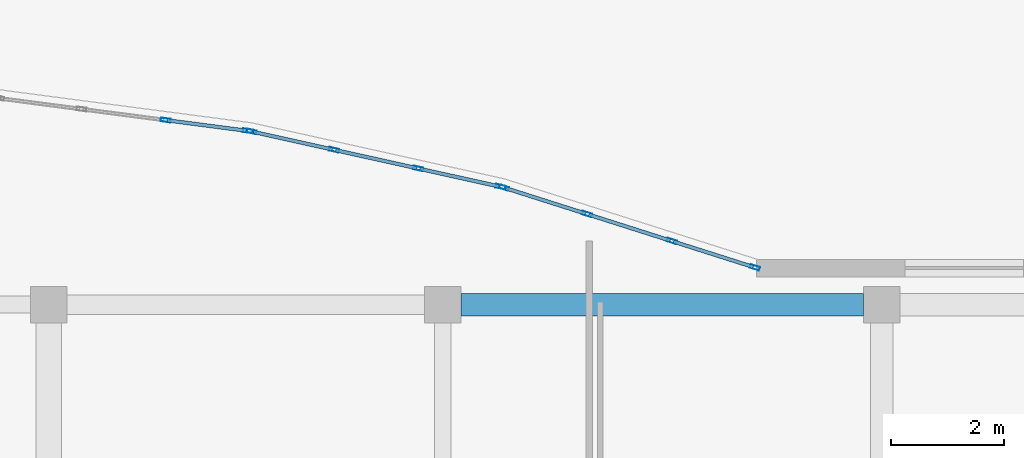
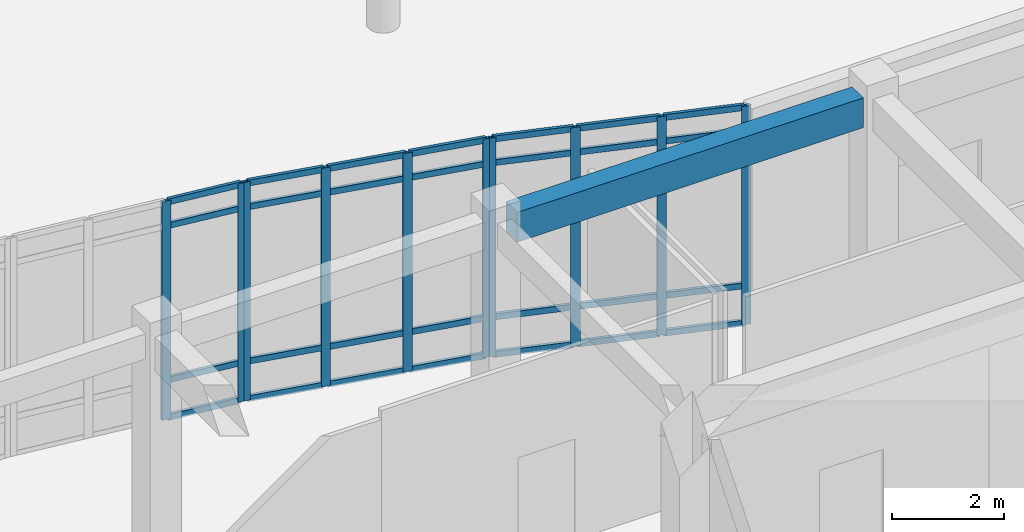
# One storey, part 35 of 121: 38 members, 1 beam, 3 elements without a shape of their own.
"""IFC4 building model written with IfcOpenShell, lengths in metres."""

from ifc_helpers import new_model, si_unit, direction, frame, origin, origin_2d, place, context, subcontext, project, spatial, rectangle, hollow_rectangle, extrude, material, layer, layer_set, material_profile, profile_set, type_object, element, aggregate, save


model = new_model("IFC4")

# Units and contexts
model_context = context("Model", 3, precision=1e-05, world=origin(), true_north=direction((0.0, 1.0)))
body_context = subcontext(model_context, "Body", "Model", "MODEL_VIEW")
ifc_project = project(units=[si_unit("LENGTHUNIT", "METRE"), si_unit("AREAUNIT", "SQUARE_METRE"), si_unit("VOLUMEUNIT", "CUBIC_METRE"), si_unit("PLANEANGLEUNIT", "RADIAN"), si_unit("MASSUNIT", "GRAM", prefix="KILO")], contexts=[model_context])

# Site, building, storey
site_placement = place(None, origin())
site = spatial("IfcSite", under=ifc_project, at=site_placement, CompositionType="ELEMENT")
building_placement = place(site_placement, origin())
building = spatial("IfcBuilding", under=site, at=building_placement, Name="Valcora Specialist Clinic", CompositionType="ELEMENT")
storey_placement = place(building_placement, origin())
storey = spatial("IfcBuildingStorey", under=building, at=storey_placement, Name="L00", CompositionType="ELEMENT", Elevation=0.0)

# Beam
ifc_material_1 = material(Name="Concrete C40/50", Category="concrete")
ifc_material_profile_1 = material_profile(ifc_material_1, rectangle(XDim=0.39990234375, YDim=0.64990234375, at=origin_2d()), Name="RC-BM-400X650")
ifc_profile_set_1 = profile_set([ifc_material_profile_1], Name="Concrete C40/50")
beam_type = type_object("IfcBeamType", Name="TY-BM-RC400X650", PredefinedType="BEAM", material=ifc_profile_set_1)
beam_placement = place(storey_placement, frame((99.72509765625, 22.0, 4.445068359375), z_axis=(1.0, 0.0, 0.0), x_axis=(0.0, 1.0, 0.0)))
element("IfcBeam", 1, at=beam_placement, inside=storey, type_object=beam_type, Name="Beam BM-L00-1257", PredefinedType="BEAM", context=body_context, shape_type="SweptSolid", body=[
    extrude(rectangle(XDim=0.39990234375, YDim=0.64990234375, at=origin_2d()), origin(), (0.0, 0.0, 1.0), 7.14990234375),
])

# Curtain wall, members
ifc_material_2 = material(Name="Anodized Bronze Aluminium 6063-T6", Category="aluminium")
ifc_layer = layer(ifc_material_2, 0.175048828125)
ifc_layer_set = layer_set([ifc_layer], Name="Anodized Bronze Aluminium 6063-T6")
curtain_wall_type = type_object("IfcCurtainWallType", Name="TY-CW-ARC51", PredefinedType="NOTDEFINED", material=ifc_layer_set)
curtain_wall_1_placement = place(storey_placement, origin())
curtain_wall_1 = element("IfcCurtainWall", 2, at=curtain_wall_1_placement, inside=storey, type_object=curtain_wall_type, Name="Curtain wall CW-L00-191", PredefinedType="NOTDEFINED")
ifc_material_profile_2 = material_profile(ifc_material_2, hollow_rectangle(XDim=0.06494140625, YDim=0.175048828125, WallThickness=0.00390625, at=origin_2d()), Name="AL-MUL-65X175")
ifc_profile_set_2 = profile_set([ifc_material_profile_2], Name="Anodized Bronze Aluminium 6063-T6")
member_type_1 = type_object("IfcMemberType", Name="TY-CWM-65X175", PredefinedType="MULLION", material=ifc_profile_set_2)
member_1_placement = place(storey_placement, frame((94.478271484375, 25.2783203125, 0.0), z_axis=(0.0, 0.0, 1.0), x_axis=(0.129999492259, 0.991514060421, 0.0)))
member_1 = element("IfcMember", 3, at=member_1_placement, type_object=member_type_1, Name="CW-ARC-51 mullion 3", PredefinedType="MULLION", context=body_context, shape_type="SweptSolid", body=[
    extrude(hollow_rectangle(XDim=0.06494140625, YDim=0.175048828125, WallThickness=0.00390625, at=origin_2d()), origin(), (0.0, 0.0, 1.0), 4.77001953125),
])
member_2_placement = place(storey_placement, frame((95.94189453125, 25.08642578125, 0.0), z_axis=(0.0, 0.0, 1.0), x_axis=(0.129999492259, 0.991514060421, 0.0)))
member_2 = element("IfcMember", 4, at=member_2_placement, type_object=member_type_1, Name="CW-ARC-51 mullion 4", PredefinedType="MULLION", context=body_context, shape_type="SweptSolid", body=[
    extrude(hollow_rectangle(XDim=0.06494140625, YDim=0.175048828125, WallThickness=0.00390625, at=origin_2d()), origin(), (0.0, 0.0, 1.0), 4.77001953125),
])

curtain_wall_2_placement = place(storey_placement, origin())
curtain_wall_2 = element("IfcCurtainWall", 5, at=curtain_wall_2_placement, inside=storey, type_object=curtain_wall_type, Name="Curtain wall CW-L00-192", PredefinedType="NOTDEFINED")
member_3_placement = place(storey_placement, frame((96.005615234375, 25.074951171875, 0.0), z_axis=(0.0, 0.0, 1.0), x_axis=(0.216518052372, 0.976278614432, 0.0)))
member_3 = element("IfcMember", 6, at=member_3_placement, type_object=member_type_1, Name="CW-ARC-51 mullion 1", PredefinedType="MULLION", context=body_context, shape_type="SweptSolid", body=[
    extrude(hollow_rectangle(XDim=0.06494140625, YDim=0.175048828125, WallThickness=0.00390625, at=origin_2d()), origin(), (0.0, 0.0, 1.0), 4.77001953125),
])
member_4_placement = place(storey_placement, frame((97.4697265625, 24.75048828125, 0.0), z_axis=(0.0, 0.0, 1.0), x_axis=(0.216518052372, 0.976278614432, 0.0)))
member_4 = element("IfcMember", 7, at=member_4_placement, type_object=member_type_1, Name="CW-ARC-51 mullion 2", PredefinedType="MULLION", context=body_context, shape_type="SweptSolid", body=[
    extrude(hollow_rectangle(XDim=0.06494140625, YDim=0.175048828125, WallThickness=0.00390625, at=origin_2d()), origin(), (0.0, 0.0, 1.0), 4.77001953125),
])
member_5_placement = place(storey_placement, frame((98.96533203125, 24.418701171875, 0.0), z_axis=(0.0, 0.0, 1.0), x_axis=(0.216518052372, 0.976278614432, 0.0)))
member_5 = element("IfcMember", 8, at=member_5_placement, type_object=member_type_1, Name="CW-ARC-51 mullion 3", PredefinedType="MULLION", context=body_context, shape_type="SweptSolid", body=[
    extrude(hollow_rectangle(XDim=0.06494140625, YDim=0.175048828125, WallThickness=0.00390625, at=origin_2d()), origin(), (0.0, 0.0, 1.0), 4.77001953125),
])
member_6_placement = place(storey_placement, frame((100.42919921875, 24.093994140625, 0.0), z_axis=(0.0, 0.0, 1.0), x_axis=(0.216518052372, 0.976278614432, 0.0)))
member_6 = element("IfcMember", 9, at=member_6_placement, type_object=member_type_1, Name="CW-ARC-51 mullion 4", PredefinedType="MULLION", context=body_context, shape_type="SweptSolid", body=[
    extrude(hollow_rectangle(XDim=0.06494140625, YDim=0.175048828125, WallThickness=0.00390625, at=origin_2d()), origin(), (0.0, 0.0, 1.0), 4.77001953125),
])

curtain_wall_3_placement = place(storey_placement, origin())
curtain_wall_3 = element("IfcCurtainWall", 10, at=curtain_wall_3_placement, inside=storey, type_object=curtain_wall_type, Name="Curtain wall CW-L00-193", PredefinedType="NOTDEFINED")
member_7_placement = place(storey_placement, frame((100.491943359375, 24.0771484375, 0.0), z_axis=(0.0, 0.0, 1.0), x_axis=(0.303233270958, 0.952916356972, 0.0)))
member_7 = element("IfcMember", 11, at=member_7_placement, type_object=member_type_1, Name="CW-ARC-51 mullion 1", PredefinedType="MULLION", context=body_context, shape_type="SweptSolid", body=[
    extrude(hollow_rectangle(XDim=0.06494140625, YDim=0.175048828125, WallThickness=0.00390625, at=origin_2d()), origin(), (0.0, 0.0, 1.0), 4.77001953125),
])
member_8_placement = place(storey_placement, frame((101.966064453125, 23.60791015625, 0.0), z_axis=(0.0, 0.0, 1.0), x_axis=(0.303233270958, 0.952916356972, 0.0)))
member_8 = element("IfcMember", 12, at=member_8_placement, type_object=member_type_1, Name="CW-ARC-51 mullion 2", PredefinedType="MULLION", context=body_context, shape_type="SweptSolid", body=[
    extrude(hollow_rectangle(XDim=0.06494140625, YDim=0.175048828125, WallThickness=0.00390625, at=origin_2d()), origin(), (0.0, 0.0, 1.0), 4.77001953125),
])
member_9_placement = place(storey_placement, frame((103.471435546875, 23.12890625, 0.0), z_axis=(0.0, 0.0, 1.0), x_axis=(0.303233270958, 0.952916356972, 0.0)))
member_9 = element("IfcMember", 13, at=member_9_placement, type_object=member_type_1, Name="CW-ARC-51 mullion 3", PredefinedType="MULLION", context=body_context, shape_type="SweptSolid", body=[
    extrude(hollow_rectangle(XDim=0.06494140625, YDim=0.175048828125, WallThickness=0.00390625, at=origin_2d()), origin(), (0.0, 0.0, 1.0), 4.77001953125),
])
member_10_placement = place(storey_placement, frame((104.94580078125, 22.659912109375, 0.0), z_axis=(0.0, 0.0, 1.0), x_axis=(0.303233270958, 0.952916356972, 0.0)))
member_10 = element("IfcMember", 14, at=member_10_placement, type_object=member_type_1, Name="CW-ARC-51 mullion 4", PredefinedType="MULLION", context=body_context, shape_type="SweptSolid", body=[
    extrude(hollow_rectangle(XDim=0.06494140625, YDim=0.175048828125, WallThickness=0.00390625, at=origin_2d()), origin(), (0.0, 0.0, 1.0), 4.77001953125),
])

# Member
ifc_material_profile_3 = material_profile(ifc_material_2, hollow_rectangle(XDim=0.06494140625, YDim=0.1298828125, WallThickness=0.00390625, at=origin_2d()), Name="AL-TRN-65X130")
ifc_profile_set_3 = profile_set([ifc_material_profile_3], Name="Anodized Bronze Aluminium 6063-T6")
member_type_2 = type_object("IfcMemberType", Name="TY-CWT-65X130", PredefinedType="USERDEFINED", material=ifc_profile_set_3)
member_11_placement = place(storey_placement, frame((94.510498046875, 25.27392578125, 0.032470703125), z_axis=(0.991523055248, -0.129930869742, 0.0), x_axis=(0.129930869742, 0.991523055248, 0.0)))
member_11 = element("IfcMember", 15, at=member_11_placement, type_object=member_type_2, Name="CW-ARC-51 transom 3.1", ObjectType="TRANSOM", PredefinedType="USERDEFINED", context=body_context, shape_type="SweptSolid", body=[
    extrude(hollow_rectangle(XDim=0.06494140625, YDim=0.1298828125, WallThickness=0.00390625, at=origin_2d()), origin(), (0.0, 0.0, 1.0), 1.4111328125),
])

member_12_placement = place(storey_placement, frame((94.510498046875, 25.27392578125, 0.85009765625), z_axis=(0.991523055248, -0.129930869742, 0.0), x_axis=(0.129930869742, 0.991523055248, 0.0)))
member_12 = element("IfcMember", 16, at=member_12_placement, type_object=member_type_2, Name="CW-ARC-51 transom 3.2", ObjectType="TRANSOM", PredefinedType="USERDEFINED", context=body_context, shape_type="SweptSolid", body=[
    extrude(hollow_rectangle(XDim=0.06494140625, YDim=0.1298828125, WallThickness=0.00390625, at=origin_2d()), origin(), (0.0, 0.0, 1.0), 1.4111328125),
])

member_13_placement = place(storey_placement, frame((94.510498046875, 25.27392578125, 4.219970703125), z_axis=(0.991523055248, -0.129930869742, 0.0), x_axis=(0.129930869742, 0.991523055248, 0.0)))
member_13 = element("IfcMember", 17, at=member_13_placement, type_object=member_type_2, Name="CW-ARC-51 transom 3.3", ObjectType="TRANSOM", PredefinedType="USERDEFINED", context=body_context, shape_type="SweptSolid", body=[
    extrude(hollow_rectangle(XDim=0.06494140625, YDim=0.1298828125, WallThickness=0.00390625, at=origin_2d()), origin(), (0.0, 0.0, 1.0), 1.4111328125),
])

member_14_placement = place(storey_placement, frame((94.510498046875, 25.27392578125, 4.737548828125), z_axis=(0.991523055248, -0.129930869742, 0.0), x_axis=(0.129930869742, 0.991523055248, 0.0)))
member_14 = element("IfcMember", 18, at=member_14_placement, type_object=member_type_2, Name="CW-ARC-51 transom 3.4", ObjectType="TRANSOM", PredefinedType="USERDEFINED", context=body_context, shape_type="SweptSolid", body=[
    extrude(hollow_rectangle(XDim=0.06494140625, YDim=0.1298828125, WallThickness=0.00390625, at=origin_2d()), origin(), (0.0, 0.0, 1.0), 1.4111328125),
])

aggregate(curtain_wall_1, [member_1, member_2, member_11, member_12, member_13, member_14])

member_15_placement = place(storey_placement, frame((96.037353515625, 25.068115234375, 0.032470703125), z_axis=(0.976255079417, -0.216624144343, 0.0), x_axis=(0.216624144343, 0.976255079417, 0.0)))
member_15 = element("IfcMember", 19, at=member_15_placement, type_object=member_type_2, Name="CW-ARC-51 transom 1.1", ObjectType="TRANSOM", PredefinedType="USERDEFINED", context=body_context, shape_type="SweptSolid", body=[
    extrude(hollow_rectangle(XDim=0.06494140625, YDim=0.1298828125, WallThickness=0.00390625, at=origin_2d()), origin(), (0.0, 0.0, 1.0), 1.434814453125),
])

member_16_placement = place(storey_placement, frame((96.037353515625, 25.068115234375, 0.85009765625), z_axis=(0.976255079417, -0.216624144343, 0.0), x_axis=(0.216624144343, 0.976255079417, 0.0)))
member_16 = element("IfcMember", 20, at=member_16_placement, type_object=member_type_2, Name="CW-ARC-51 transom 1.2", ObjectType="TRANSOM", PredefinedType="USERDEFINED", context=body_context, shape_type="SweptSolid", body=[
    extrude(hollow_rectangle(XDim=0.06494140625, YDim=0.1298828125, WallThickness=0.00390625, at=origin_2d()), origin(), (0.0, 0.0, 1.0), 1.434814453125),
])

member_17_placement = place(storey_placement, frame((96.037353515625, 25.068115234375, 4.219970703125), z_axis=(0.976255079417, -0.216624144343, 0.0), x_axis=(0.216624144343, 0.976255079417, 0.0)))
member_17 = element("IfcMember", 21, at=member_17_placement, type_object=member_type_2, Name="CW-ARC-51 transom 1.3", ObjectType="TRANSOM", PredefinedType="USERDEFINED", context=body_context, shape_type="SweptSolid", body=[
    extrude(hollow_rectangle(XDim=0.06494140625, YDim=0.1298828125, WallThickness=0.00390625, at=origin_2d()), origin(), (0.0, 0.0, 1.0), 1.434814453125),
])

member_18_placement = place(storey_placement, frame((96.037353515625, 25.068115234375, 4.737548828125), z_axis=(0.976255079417, -0.216624144343, 0.0), x_axis=(0.216624144343, 0.976255079417, 0.0)))
member_18 = element("IfcMember", 22, at=member_18_placement, type_object=member_type_2, Name="CW-ARC-51 transom 1.4", ObjectType="TRANSOM", PredefinedType="USERDEFINED", context=body_context, shape_type="SweptSolid", body=[
    extrude(hollow_rectangle(XDim=0.06494140625, YDim=0.1298828125, WallThickness=0.00390625, at=origin_2d()), origin(), (0.0, 0.0, 1.0), 1.434814453125),
])

member_19_placement = place(storey_placement, frame((97.50146484375, 24.743408203125, 0.032470703125), z_axis=(0.976277043921, -0.216525133676, 0.0), x_axis=(0.216525133676, 0.976277043921, 0.0)))
member_19 = element("IfcMember", 23, at=member_19_placement, type_object=member_type_2, Name="CW-ARC-51 transom 2.1", ObjectType="TRANSOM", PredefinedType="USERDEFINED", context=body_context, shape_type="SweptSolid", body=[
    extrude(hollow_rectangle(XDim=0.06494140625, YDim=0.1298828125, WallThickness=0.00390625, at=origin_2d()), origin(), (0.0, 0.0, 1.0), 1.467041015625),
])

member_20_placement = place(storey_placement, frame((97.50146484375, 24.743408203125, 0.85009765625), z_axis=(0.976277043921, -0.216525133676, 0.0), x_axis=(0.216525133676, 0.976277043921, 0.0)))
member_20 = element("IfcMember", 24, at=member_20_placement, type_object=member_type_2, Name="CW-ARC-51 transom 2.2", ObjectType="TRANSOM", PredefinedType="USERDEFINED", context=body_context, shape_type="SweptSolid", body=[
    extrude(hollow_rectangle(XDim=0.06494140625, YDim=0.1298828125, WallThickness=0.00390625, at=origin_2d()), origin(), (0.0, 0.0, 1.0), 1.467041015625),
])

member_21_placement = place(storey_placement, frame((97.50146484375, 24.743408203125, 4.219970703125), z_axis=(0.976277043921, -0.216525133676, 0.0), x_axis=(0.216525133676, 0.976277043921, 0.0)))
member_21 = element("IfcMember", 25, at=member_21_placement, type_object=member_type_2, Name="CW-ARC-51 transom 2.3", ObjectType="TRANSOM", PredefinedType="USERDEFINED", context=body_context, shape_type="SweptSolid", body=[
    extrude(hollow_rectangle(XDim=0.06494140625, YDim=0.1298828125, WallThickness=0.00390625, at=origin_2d()), origin(), (0.0, 0.0, 1.0), 1.467041015625),
])

member_22_placement = place(storey_placement, frame((97.50146484375, 24.743408203125, 4.737548828125), z_axis=(0.976277043921, -0.216525133676, 0.0), x_axis=(0.216525133676, 0.976277043921, 0.0)))
member_22 = element("IfcMember", 26, at=member_22_placement, type_object=member_type_2, Name="CW-ARC-51 transom 2.4", ObjectType="TRANSOM", PredefinedType="USERDEFINED", context=body_context, shape_type="SweptSolid", body=[
    extrude(hollow_rectangle(XDim=0.06494140625, YDim=0.1298828125, WallThickness=0.00390625, at=origin_2d()), origin(), (0.0, 0.0, 1.0), 1.467041015625),
])

member_23_placement = place(storey_placement, frame((98.9970703125, 24.41162109375, 0.032470703125), z_axis=(0.976283078872, -0.216497921256, 0.0), x_axis=(0.216497921256, 0.976283078872, 0.0)))
member_23 = element("IfcMember", 27, at=member_23_placement, type_object=member_type_2, Name="CW-ARC-51 transom 3.1", ObjectType="TRANSOM", PredefinedType="USERDEFINED", context=body_context, shape_type="SweptSolid", body=[
    extrude(hollow_rectangle(XDim=0.06494140625, YDim=0.1298828125, WallThickness=0.00390625, at=origin_2d()), origin(), (0.0, 0.0, 1.0), 1.434326171875),
])

member_24_placement = place(storey_placement, frame((98.9970703125, 24.41162109375, 0.85009765625), z_axis=(0.976283078872, -0.216497921256, 0.0), x_axis=(0.216497921256, 0.976283078872, 0.0)))
member_24 = element("IfcMember", 28, at=member_24_placement, type_object=member_type_2, Name="CW-ARC-51 transom 3.2", ObjectType="TRANSOM", PredefinedType="USERDEFINED", context=body_context, shape_type="SweptSolid", body=[
    extrude(hollow_rectangle(XDim=0.06494140625, YDim=0.1298828125, WallThickness=0.00390625, at=origin_2d()), origin(), (0.0, 0.0, 1.0), 1.434326171875),
])

member_25_placement = place(storey_placement, frame((98.9970703125, 24.41162109375, 4.219970703125), z_axis=(0.976283078872, -0.216497921256, 0.0), x_axis=(0.216497921256, 0.976283078872, 0.0)))
member_25 = element("IfcMember", 29, at=member_25_placement, type_object=member_type_2, Name="CW-ARC-51 transom 3.3", ObjectType="TRANSOM", PredefinedType="USERDEFINED", context=body_context, shape_type="SweptSolid", body=[
    extrude(hollow_rectangle(XDim=0.06494140625, YDim=0.1298828125, WallThickness=0.00390625, at=origin_2d()), origin(), (0.0, 0.0, 1.0), 1.434326171875),
])

member_26_placement = place(storey_placement, frame((98.9970703125, 24.41162109375, 4.737548828125), z_axis=(0.976283078872, -0.216497921256, 0.0), x_axis=(0.216497921256, 0.976283078872, 0.0)))
member_26 = element("IfcMember", 30, at=member_26_placement, type_object=member_type_2, Name="CW-ARC-51 transom 3.4", ObjectType="TRANSOM", PredefinedType="USERDEFINED", context=body_context, shape_type="SweptSolid", body=[
    extrude(hollow_rectangle(XDim=0.06494140625, YDim=0.1298828125, WallThickness=0.00390625, at=origin_2d()), origin(), (0.0, 0.0, 1.0), 1.434326171875),
])

aggregate(curtain_wall_2, [member_3, member_4, member_5, member_6, member_15, member_16, member_17, member_18, member_19, member_20, member_21, member_22, member_23, member_24, member_25, member_26])

member_27_placement = place(storey_placement, frame((100.52294921875, 24.0673828125, 0.032470703125), z_axis=(0.952910635624, -0.303251249816, 0.0), x_axis=(0.303251249816, 0.952910635624, 0.0)))
member_27 = element("IfcMember", 31, at=member_27_placement, type_object=member_type_2, Name="CW-ARC-51 transom 1.1", ObjectType="TRANSOM", PredefinedType="USERDEFINED", context=body_context, shape_type="SweptSolid", body=[
    extrude(hollow_rectangle(XDim=0.06494140625, YDim=0.1298828125, WallThickness=0.00390625, at=origin_2d()), origin(), (0.0, 0.0, 1.0), 1.482177734375),
])

member_28_placement = place(storey_placement, frame((100.52294921875, 24.0673828125, 0.85009765625), z_axis=(0.952910635624, -0.303251249816, 0.0), x_axis=(0.303251249816, 0.952910635624, 0.0)))
member_28 = element("IfcMember", 32, at=member_28_placement, type_object=member_type_2, Name="CW-ARC-51 transom 1.2", ObjectType="TRANSOM", PredefinedType="USERDEFINED", context=body_context, shape_type="SweptSolid", body=[
    extrude(hollow_rectangle(XDim=0.06494140625, YDim=0.1298828125, WallThickness=0.00390625, at=origin_2d()), origin(), (0.0, 0.0, 1.0), 1.482177734375),
])

member_29_placement = place(storey_placement, frame((100.52294921875, 24.0673828125, 4.219970703125), z_axis=(0.952910635624, -0.303251249816, 0.0), x_axis=(0.303251249816, 0.952910635624, 0.0)))
member_29 = element("IfcMember", 33, at=member_29_placement, type_object=member_type_2, Name="CW-ARC-51 transom 1.3", ObjectType="TRANSOM", PredefinedType="USERDEFINED", context=body_context, shape_type="SweptSolid", body=[
    extrude(hollow_rectangle(XDim=0.06494140625, YDim=0.1298828125, WallThickness=0.00390625, at=origin_2d()), origin(), (0.0, 0.0, 1.0), 1.482177734375),
])

member_30_placement = place(storey_placement, frame((100.52294921875, 24.0673828125, 4.737548828125), z_axis=(0.952910635624, -0.303251249816, 0.0), x_axis=(0.303251249816, 0.952910635624, 0.0)))
member_30 = element("IfcMember", 34, at=member_30_placement, type_object=member_type_2, Name="CW-ARC-51 transom 1.4", ObjectType="TRANSOM", PredefinedType="USERDEFINED", context=body_context, shape_type="SweptSolid", body=[
    extrude(hollow_rectangle(XDim=0.06494140625, YDim=0.1298828125, WallThickness=0.00390625, at=origin_2d()), origin(), (0.0, 0.0, 1.0), 1.482177734375),
])

member_31_placement = place(storey_placement, frame((101.9970703125, 23.59814453125, 0.032470703125), z_axis=(0.952930013692, -0.303190351109, 0.0), x_axis=(0.303190351109, 0.952930013692, 0.0)))
member_31 = element("IfcMember", 35, at=member_31_placement, type_object=member_type_2, Name="CW-ARC-51 transom 2.1", ObjectType="TRANSOM", PredefinedType="USERDEFINED", context=body_context, shape_type="SweptSolid", body=[
    extrude(hollow_rectangle(XDim=0.06494140625, YDim=0.1298828125, WallThickness=0.00390625, at=origin_2d()), origin(), (0.0, 0.0, 1.0), 1.5146484375),
])

member_32_placement = place(storey_placement, frame((101.9970703125, 23.59814453125, 0.85009765625), z_axis=(0.952930013692, -0.303190351109, 0.0), x_axis=(0.303190351109, 0.952930013692, 0.0)))
member_32 = element("IfcMember", 36, at=member_32_placement, type_object=member_type_2, Name="CW-ARC-51 transom 2.2", ObjectType="TRANSOM", PredefinedType="USERDEFINED", context=body_context, shape_type="SweptSolid", body=[
    extrude(hollow_rectangle(XDim=0.06494140625, YDim=0.1298828125, WallThickness=0.00390625, at=origin_2d()), origin(), (0.0, 0.0, 1.0), 1.5146484375),
])

member_33_placement = place(storey_placement, frame((101.9970703125, 23.59814453125, 4.219970703125), z_axis=(0.952930013692, -0.303190351109, 0.0), x_axis=(0.303190351109, 0.952930013692, 0.0)))
member_33 = element("IfcMember", 37, at=member_33_placement, type_object=member_type_2, Name="CW-ARC-51 transom 2.3", ObjectType="TRANSOM", PredefinedType="USERDEFINED", context=body_context, shape_type="SweptSolid", body=[
    extrude(hollow_rectangle(XDim=0.06494140625, YDim=0.1298828125, WallThickness=0.00390625, at=origin_2d()), origin(), (0.0, 0.0, 1.0), 1.5146484375),
])

member_34_placement = place(storey_placement, frame((101.9970703125, 23.59814453125, 4.737548828125), z_axis=(0.952930013692, -0.303190351109, 0.0), x_axis=(0.303190351109, 0.952930013692, 0.0)))
member_34 = element("IfcMember", 38, at=member_34_placement, type_object=member_type_2, Name="CW-ARC-51 transom 2.4", ObjectType="TRANSOM", PredefinedType="USERDEFINED", context=body_context, shape_type="SweptSolid", body=[
    extrude(hollow_rectangle(XDim=0.06494140625, YDim=0.1298828125, WallThickness=0.00390625, at=origin_2d()), origin(), (0.0, 0.0, 1.0), 1.5146484375),
])

member_35_placement = place(storey_placement, frame((103.50244140625, 23.119140625, 0.032470703125), z_axis=(0.952910635624, -0.303251249816, 0.0), x_axis=(0.303251249816, 0.952910635624, 0.0)))
member_35 = element("IfcMember", 39, at=member_35_placement, type_object=member_type_2, Name="CW-ARC-51 transom 3.1", ObjectType="TRANSOM", PredefinedType="USERDEFINED", context=body_context, shape_type="SweptSolid", body=[
    extrude(hollow_rectangle(XDim=0.06494140625, YDim=0.1298828125, WallThickness=0.00390625, at=origin_2d()), origin(), (0.0, 0.0, 1.0), 1.482177734375),
])

member_36_placement = place(storey_placement, frame((103.50244140625, 23.119140625, 0.85009765625), z_axis=(0.952910635624, -0.303251249816, 0.0), x_axis=(0.303251249816, 0.952910635624, 0.0)))
member_36 = element("IfcMember", 40, at=member_36_placement, type_object=member_type_2, Name="CW-ARC-51 transom 3.2", ObjectType="TRANSOM", PredefinedType="USERDEFINED", context=body_context, shape_type="SweptSolid", body=[
    extrude(hollow_rectangle(XDim=0.06494140625, YDim=0.1298828125, WallThickness=0.00390625, at=origin_2d()), origin(), (0.0, 0.0, 1.0), 1.482177734375),
])

member_37_placement = place(storey_placement, frame((103.50244140625, 23.119140625, 4.219970703125), z_axis=(0.952910635624, -0.303251249816, 0.0), x_axis=(0.303251249816, 0.952910635624, 0.0)))
member_37 = element("IfcMember", 41, at=member_37_placement, type_object=member_type_2, Name="CW-ARC-51 transom 3.3", ObjectType="TRANSOM", PredefinedType="USERDEFINED", context=body_context, shape_type="SweptSolid", body=[
    extrude(hollow_rectangle(XDim=0.06494140625, YDim=0.1298828125, WallThickness=0.00390625, at=origin_2d()), origin(), (0.0, 0.0, 1.0), 1.482177734375),
])

member_38_placement = place(storey_placement, frame((103.50244140625, 23.119140625, 4.737548828125), z_axis=(0.952910635624, -0.303251249816, 0.0), x_axis=(0.303251249816, 0.952910635624, 0.0)))
member_38 = element("IfcMember", 42, at=member_38_placement, type_object=member_type_2, Name="CW-ARC-51 transom 3.4", ObjectType="TRANSOM", PredefinedType="USERDEFINED", context=body_context, shape_type="SweptSolid", body=[
    extrude(hollow_rectangle(XDim=0.06494140625, YDim=0.1298828125, WallThickness=0.00390625, at=origin_2d()), origin(), (0.0, 0.0, 1.0), 1.482177734375),
])

aggregate(curtain_wall_3, [member_7, member_8, member_9, member_10, member_27, member_28, member_29, member_30, member_31, member_32, member_33, member_34, member_35, member_36, member_37, member_38])

save(model, "model.ifc")
